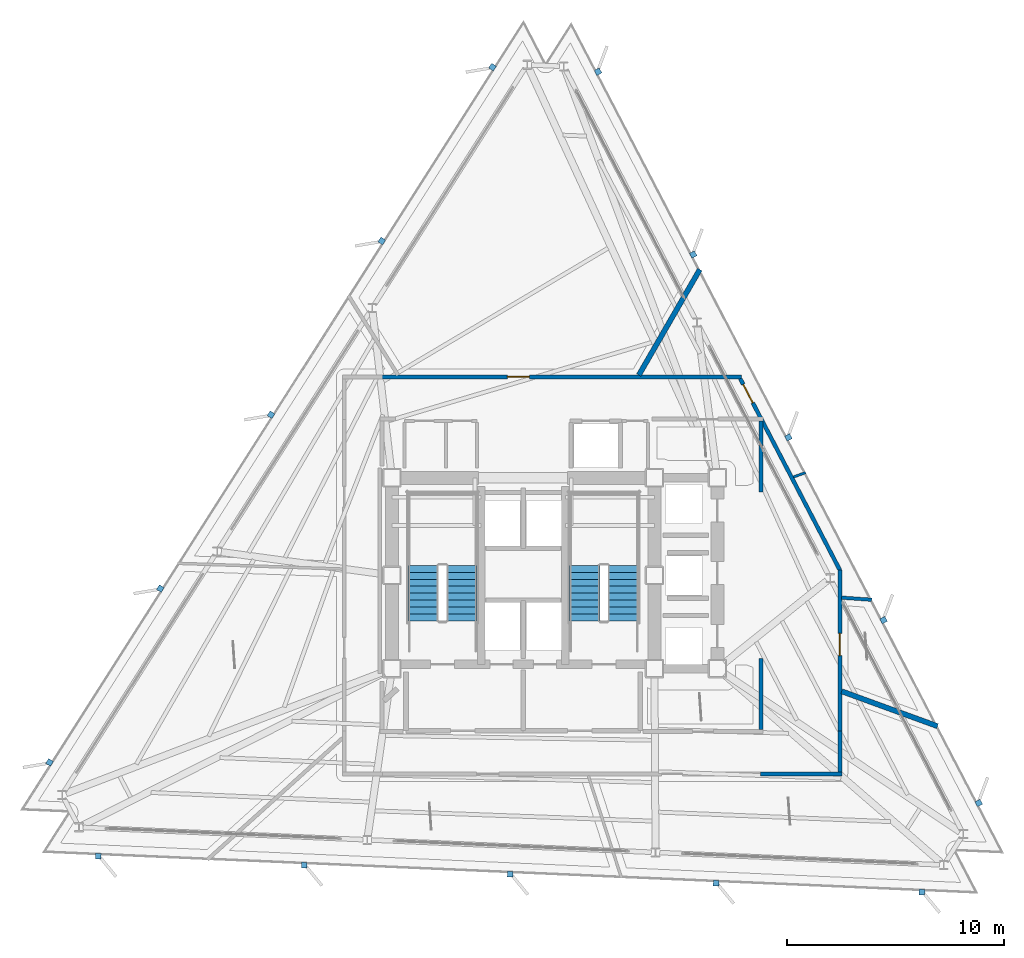
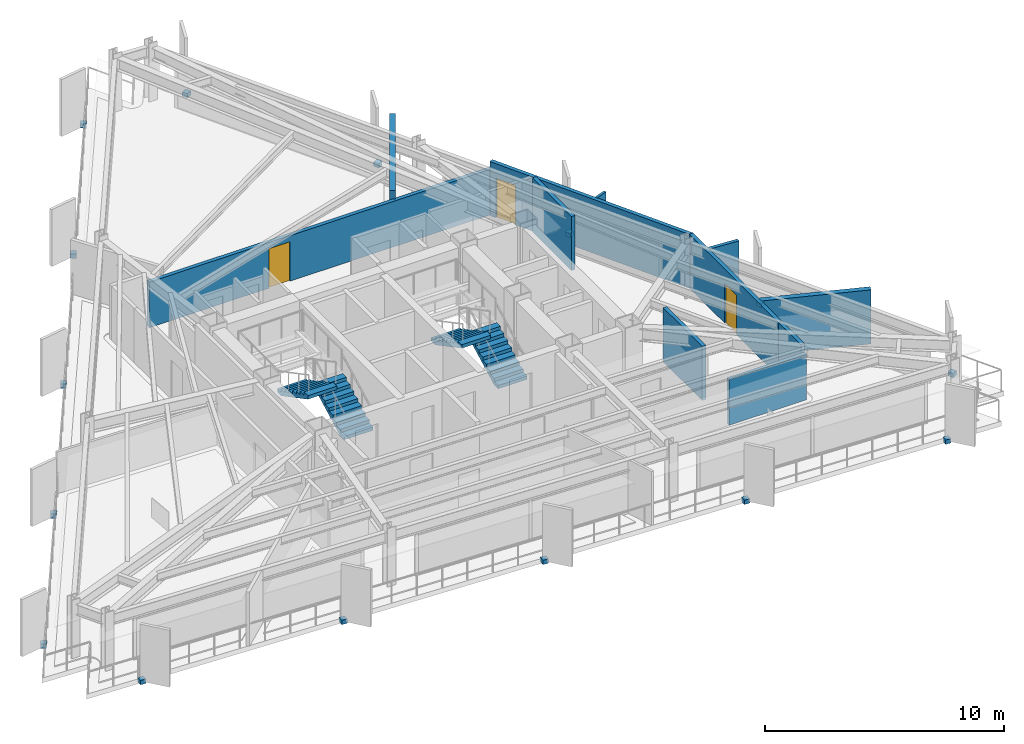
# One storey, part 9 of 12: 15 discrete accessories, 11 walls, 4 stair flights, 3 doors, 3 openings, 2 elements without a shape of their own.
"""IFC4 building model written with IfcOpenShell, lengths in metres."""

from ifc_helpers import new_model, si_unit, direction, frame, frame_2d, origin, origin_2d, place, context, subcontext, project, spatial, polyline, rectangle, outline, extrude, material, layer, layer_set, type_object, element, fill, aggregate, save


model = new_model("IFC4")

# Units and contexts
model_context = context("Model", 3, precision=1e-05, world=origin(), true_north=direction((0.0, 1.0)))
body_context = subcontext(model_context, "Body", "Model", "MODEL_VIEW")
ifc_project = project(units=[si_unit("LENGTHUNIT", "METRE"), si_unit("AREAUNIT", "SQUARE_METRE"), si_unit("VOLUMEUNIT", "CUBIC_METRE"), si_unit("PLANEANGLEUNIT", "RADIAN"), si_unit("MASSUNIT", "GRAM", prefix="KILO")], contexts=[model_context])

# Site, building, storey
site_placement = place(None, origin())
site = spatial("IfcSite", under=ifc_project, at=site_placement, CompositionType="ELEMENT")
building_placement = place(site_placement, origin())
building = spatial("IfcBuilding", under=site, at=building_placement, Name="Rocaltana Carrier Exchange", CompositionType="ELEMENT")
storey_placement = place(building_placement, frame((0.0, 0.0, 135.0400390625)))
storey = spatial("IfcBuildingStorey", under=building, at=storey_placement, Name="L42", CompositionType="ELEMENT", Elevation=135.0400390625)

# Wall
ifc_material_1 = material(Name="Double Acoustic Gypsum Partition", Category="gypsum")
ifc_layer_1 = layer(ifc_material_1, 0.159912109375)
ifc_layer_set_1 = layer_set([ifc_layer_1], Name="Double Acoustic Gypsum Partition")
wall_type_1 = type_object("IfcWallType", Name="Acoustic Studio Partition 160 EI60", PredefinedType="PARTITIONING", material=ifc_layer_set_1)
wall_1_placement = place(storey_placement, frame((14.679931640625, -1.026611328125, 0.0), z_axis=(0.0, 0.0, 1.0), x_axis=(0.997571691914, -0.06964710684, 0.0)))
element("IfcWall", 1, at=wall_1_placement, inside=storey, type_object=wall_type_1, Name="L42 Suite Divider Wall D5", PredefinedType="PARTITIONING", context=body_context, shape_type="SweptSolid", body=[
    extrude(rectangle(XDim=1.38818359375, YDim=0.159912109375, at=frame_2d((0.694091796875, 0.0))), origin(), (0.0, 0.0, 1.0), 2.762939453125),
])

# Wall, opening, door
ifc_material_2 = material(Name="Gypsum & Steel Stud Partition", Category="steel")
ifc_layer_2 = layer(ifc_material_2, 0.179931640625)
ifc_layer_set_2 = layer_set([ifc_layer_2], Name="Gypsum & Steel Stud Partition")
wall_type_2 = type_object("IfcWallType", Name="Corridor Fire Partition 180 EI60", PredefinedType="PARTITIONING", material=ifc_layer_set_2)
wall_2_placement = place(storey_placement, frame((-6.52001953125, 9.14990234375, 0.0), z_axis=(0.0, 0.0, 1.0), x_axis=(1.0, 0.0, 0.0)))
wall_2 = element("IfcWall", 2, at=wall_2_placement, inside=storey, type_object=wall_type_2, Name="L42 Corridor Partition 6", PredefinedType="PARTITIONING", context=body_context, shape_type="SweptSolid", body=[
    extrude(rectangle(XDim=16.571533203125, YDim=0.179931640625, at=frame_2d((8.28564453125, 0.0))), origin(), (0.0, 0.0, 1.0), 2.330078125),
])
opening_1_placement = place(wall_2_placement, frame((5.789306640625, 0.0, 0.0)))
opening_1 = element("IfcOpeningElement", 3, at=opening_1_placement, cuts=wall_2, Name="Opening D-LB104", PredefinedType="OPENING", context=body_context, shape_type="SweptSolid", body=[
    extrude(rectangle(XDim=1.02001953125, YDim=2.02001953125, at=frame_2d((0.510009765625, 1.010009765625))), frame((0.0, 0.099853515625, 0.0), z_axis=(0.0, -1.0, 0.0), x_axis=(1.0, 0.0, 0.0)), (0.0, 0.0, 1.0), 0.199951171875),
])
ifc_material_3 = material(Name="Powder-Coated Aluminium 6063-T6", Category="aluminium")
door_type_1 = type_object("IfcDoorType", Name="Laboratory Acoustic Door 1020x2020", OperationType="NOTDEFINED", PredefinedType="DOOR", material=ifc_material_3)
door_1_placement = place(opening_1_placement, origin())
door_1 = element("IfcDoor", 4, at=door_1_placement, inside=storey, type_object=door_type_1, Name="L42 Photonic Integration Workshop Entrance Door", OperationType="SINGLE_SWING_LEFT", OverallHeight=2.02001953125, OverallWidth=1.02001953125, PredefinedType="DOOR", context=body_context, shape_type="SweptSolid", body=[
    extrude(rectangle(XDim=1.02001953125, YDim=2.02001953125, at=frame_2d((0.510009765625, 1.010009765625))), frame((0.0, 0.02490234375, 0.0), z_axis=(0.0, -1.0, 0.0), x_axis=(1.0, 0.0, 0.0)), (0.0, 0.0, 1.0), 0.050048828125),
])
fill(opening_1, door_1)

wall_3_placement = place(storey_placement, frame((10.0029296875, 9.0703125, 0.0), z_axis=(0.0, 0.0, 1.0), x_axis=(0.461740291408, -0.887015165198, 0.0)))
wall_3 = element("IfcWall", 5, at=wall_3_placement, inside=storey, type_object=wall_type_2, Name="L42 Corridor Partition 7", PredefinedType="PARTITIONING", context=body_context, shape_type="SweptSolid", body=[
    extrude(rectangle(XDim=9.975830078125, YDim=0.179931640625, at=frame_2d((4.98779296875, 0.0))), origin(), (0.0, 0.0, 1.0), 2.762939453125),
])
opening_2_placement = place(wall_3_placement, frame((0.300537109375, 0.0, 0.0)))
opening_2 = element("IfcOpeningElement", 6, at=opening_2_placement, cuts=wall_3, Name="Opening D-RM098", PredefinedType="OPENING", context=body_context, shape_type="SweptSolid", body=[
    extrude(rectangle(XDim=0.9599609375, YDim=2.02001953125, at=frame_2d((0.47998046875, 1.010009765625))), frame((0.0, 0.099853515625, 0.0), z_axis=(0.0, -1.0, 0.0), x_axis=(1.0, 0.0, 0.0)), (0.0, 0.0, 1.0), 0.199951171875),
])
ifc_material_4 = material(Name="Engineered Hardwood Timber", Category="wood")
door_type_2 = type_object("IfcDoorType", Name="Workspace Single Door 960x2020", OperationType="NOTDEFINED", PredefinedType="DOOR", material=ifc_material_4)
door_2_placement = place(opening_2_placement, origin())
door_2 = element("IfcDoor", 7, at=door_2_placement, inside=storey, type_object=door_type_2, Name="L42 Quiet Focus Lounge Entrance Door", OperationType="SINGLE_SWING_RIGHT", OverallHeight=2.02001953125, OverallWidth=0.9599609375, PredefinedType="DOOR", context=body_context, shape_type="SweptSolid", body=[
    extrude(rectangle(XDim=0.9599609375, YDim=2.02001953125, at=frame_2d((0.47998046875, 1.010009765625))), frame((0.0, 0.02490234375, 0.0), z_axis=(0.0, -1.0, 0.0), x_axis=(1.0, 0.0, 0.0)), (0.0, 0.0, 1.0), 0.050048828125),
])
fill(opening_2, door_2)

wall_4_placement = place(storey_placement, frame((14.60009765625, 0.259521484375, 0.0), z_axis=(0.0, 0.0, 1.0), x_axis=(0.0, -1.0, 0.0)))
wall_4 = element("IfcWall", 8, at=wall_4_placement, inside=storey, type_object=wall_type_2, Name="L42 Corridor Partition 8", PredefinedType="PARTITIONING", context=body_context, shape_type="SweptSolid", body=[
    extrude(rectangle(XDim=7.4794921875, YDim=0.179931640625, at=frame_2d((3.73974609375, 0.0))), origin(), (0.0, 0.0, 1.0), 2.762939453125),
])
opening_3_placement = place(wall_4_placement, frame((2.93310546875, 0.0, 0.0)))
opening_3 = element("IfcOpeningElement", 9, at=opening_3_placement, cuts=wall_4, Name="Opening D-LB104", PredefinedType="OPENING", context=body_context, shape_type="SweptSolid", body=[
    extrude(rectangle(XDim=1.02001953125, YDim=2.02001953125, at=frame_2d((0.510009765625, 1.010009765625))), frame((0.0, 0.099853515625, 0.0), z_axis=(0.0, -1.0, 0.0), x_axis=(1.0, 0.0, 0.0)), (0.0, 0.0, 1.0), 0.199951171875),
])
door_3_placement = place(opening_3_placement, origin())
door_3 = element("IfcDoor", 10, at=door_3_placement, inside=storey, type_object=door_type_1, Name="L42 Protocol Calibration Laboratory Entrance Door", OperationType="SINGLE_SWING_RIGHT", OverallHeight=2.02001953125, OverallWidth=1.02001953125, PredefinedType="DOOR", context=body_context, shape_type="SweptSolid", body=[
    extrude(rectangle(XDim=1.02001953125, YDim=2.02001953125, at=frame_2d((0.510009765625, 1.010009765625))), frame((0.0, 0.02490234375, 0.0), z_axis=(0.0, -1.0, 0.0), x_axis=(1.0, 0.0, 0.0)), (0.0, 0.0, 1.0), 0.050048828125),
])
fill(opening_3, door_3)

# Walls
wall_5_placement = place(storey_placement, frame((14.60009765625, -7.179931640625, 0.0), z_axis=(0.0, 0.0, 1.0), x_axis=(0.0, -1.0, 0.0)))
element("IfcWall", 11, at=wall_5_placement, inside=storey, type_object=wall_type_2, Name="L42 Corridor Partition 9", PredefinedType="PARTITIONING", context=body_context, shape_type="SweptSolid", body=[
    extrude(rectangle(XDim=1.880126953125, YDim=0.179931640625, at=frame_2d((0.93994140625, 0.0))), origin(), (0.0, 0.0, 1.0), 2.762939453125),
])
wall_6_placement = place(storey_placement, frame((14.68994140625, -9.14990234375, 0.0), z_axis=(0.0, 0.0, 1.0), x_axis=(-1.0, 0.0, 0.0)))
element("IfcWall", 12, at=wall_6_placement, inside=storey, type_object=wall_type_2, Name="L42 Corridor Partition 10", PredefinedType="PARTITIONING", context=body_context, shape_type="SweptSolid", body=[
    extrude(rectangle(XDim=3.75, YDim=0.179931640625, at=frame_2d((1.875, 0.0))), origin(), (0.0, 0.0, 1.0), 2.330078125),
])
for number, where, z_axis, x_axis, name in (
    (13, (10.9599609375, -7.110107421875, 0.0), (0.0, 0.0, 1.0), (0.0, 1.0, 0.0), "L42 Corridor Partition 13"),
    (14, (10.9599609375, 3.839599609375, 0.0), (0.0, 0.0, 1.0), (0.0, 1.0, 0.0), "L42 Corridor Partition 14"),
):
    element("IfcWall", number, at=place(storey_placement, frame(where, z_axis=z_axis, x_axis=x_axis)), inside=storey, type_object=wall_type_2, Name=name, PredefinedType="PARTITIONING", context=body_context, shape_type="SweptSolid", body=[
        extrude(rectangle(XDim=3.2705078125, YDim=0.179931640625, at=frame_2d((1.63525390625, 0.0))), origin(), (0.0, 0.0, 1.0), 2.762939453125),
    ])
ifc_material_5 = material(Name="Aluminium 6063-T6 & Acoustic Glass", Category="aluminium")
ifc_layer_3 = layer(ifc_material_5, 0.114990234375)
ifc_layer_set_3 = layer_set([ifc_layer_3], Name="Aluminium 6063-T6 & Acoustic Glass")
wall_type_3 = type_object("IfcWallType", Name="Demountable Glazed Lab Partition 115", PredefinedType="MOVABLE", material=ifc_layer_set_3)
wall_7_placement = place(storey_placement, frame((12.455078125, 4.533203125, 0.0), z_axis=(0.0, 0.0, 1.0), x_axis=(0.93962558955, 0.342204254011, 0.0)))
element("IfcWall", 15, at=wall_7_placement, inside=storey, type_object=wall_type_3, Name="L42 Suite Divider Wall D6", PredefinedType="MOVABLE", context=body_context, shape_type="SweptSolid", body=[
    extrude(rectangle(XDim=0.594970703125, YDim=0.114990234375, at=frame_2d((0.29736328125, 0.0))), origin(), (0.0, 0.0, 1.0), 2.762939453125),
])
ifc_material_6 = material(Name="Acoustic Calcium Silicate Partition", Category="gypsum")
ifc_layer_4 = layer(ifc_material_6, 0.239990234375)
ifc_layer_set_4 = layer_set([ifc_layer_4], Name="Acoustic Calcium Silicate Partition")
wall_type_4 = type_object("IfcWallType", Name="Heavy Lab Partition 240 EI90", PredefinedType="PARTITIONING", material=ifc_layer_set_4)
wall_8_placement = place(storey_placement, frame((14.679931640625, -5.343017578125, 0.0), z_axis=(0.0, 0.0, 1.0), x_axis=(0.939684231706, -0.342043191253, 0.0)))
element("IfcWall", 16, at=wall_8_placement, inside=storey, type_object=wall_type_4, Name="L42 Suite Divider Wall D4", PredefinedType="PARTITIONING", context=body_context, shape_type="SweptSolid", body=[
    extrude(rectangle(XDim=4.702392578125, YDim=0.239990234375, at=frame_2d((2.35107421875, 0.0))), origin(), (0.0, 0.0, 1.0), 2.762939453125),
])
wall_9_placement = place(storey_placement, frame((5.328857421875, 9.22998046875, 0.0), z_axis=(0.0, 0.0, 1.0), x_axis=(0.500024387096, 0.86601132343, 0.0)))
element("IfcWall", 17, at=wall_9_placement, inside=storey, type_object=wall_type_4, Name="L42 Suite Divider Wall D7", PredefinedType="PARTITIONING", context=body_context, shape_type="SweptSolid", body=[
    extrude(rectangle(XDim=5.622802734375, YDim=0.239990234375, at=frame_2d((2.8115234375, 0.0))), origin(), (0.0, 0.0, 1.0), 2.762939453125),
])

# Stair, stair flights
ifc_material_7 = material(Name="Precast concrete C45/55", Category="concrete")
stair_type = type_object("IfcStairType", Name="Standard Dog-Leg Stair 160", PredefinedType="HALF_TURN_STAIR", material=ifc_material_7)
stair_1_placement = place(storey_placement, origin())
stair_1 = element("IfcStair", 18, at=stair_1_placement, inside=storey, type_object=stair_type, Name="L42 Core West Exit Stair ST-1", PredefinedType="HALF_TURN_STAIR")
ifc_material_8 = material(Name="Precast concrete C45/55", Category="concrete")
stair_flight_type = type_object("IfcStairFlightType", Name="Precast Stair Flight 160", PredefinedType="STRAIGHT", material=ifc_material_8)
stair_flight_1_placement = place(storey_placement, frame((-2.840087890625, -2.10009765625, 0.0), z_axis=(0.0, 0.0, 1.0), x_axis=(0.0, 1.0, 0.0)))
stair_flight_1 = element("IfcStairFlight", 19, at=stair_flight_1_placement, type_object=stair_flight_type, Name="ST-1 flight 1", NumberOfRisers=9, NumberOfTreads=8, PredefinedType="STRAIGHT", RiserHeight=0.168888889, TreadLength=0.32, context=body_context, shape_type="SweptSolid", body=[
    extrude(outline(polyline([(0.0, 0.0), (0.0, 0.1689453125), (0.320068359375, 0.1689453125), (0.320068359375, 0.337890625), (0.639892578125, 0.337890625), (0.639892578125, 0.506591796875), (0.9599609375, 0.506591796875), (0.9599609375, 0.675537109375), (1.280029296875, 0.675537109375), (1.280029296875, 0.844482421875), (1.60009765625, 0.844482421875), (1.60009765625, 1.013427734375), (1.919921875, 1.013427734375), (1.919921875, 1.18212890625), (2.239990234375, 1.18212890625), (2.239990234375, 1.35107421875), (2.56005859375, 1.35107421875), (2.56005859375, 1.52001953125), (2.56005859375, 1.17041015625), (0.342529296875, 0.0), (0.0, 0.0)])), frame((0.0, 0.699951171875, 0.0), z_axis=(0.0, -1.0, 0.0), x_axis=(1.0, 0.0, 0.0)), (0.0, 0.0, 1.0), 1.39990234375),
])
stair_flight_2_placement = place(storey_placement, frame((-4.60009765625, 0.4599609375, 1.52001953125), z_axis=(0.0, 0.0, 1.0), x_axis=(0.0, -1.0, 0.0)))
stair_flight_2 = element("IfcStairFlight", 20, at=stair_flight_2_placement, type_object=stair_flight_type, Name="ST-1 flight 2", NumberOfRisers=9, NumberOfTreads=8, PredefinedType="STRAIGHT", RiserHeight=0.168888889, TreadLength=0.32, context=body_context, shape_type="SweptSolid", body=[
    extrude(outline(polyline([(0.0, 0.0), (0.0, 0.1689453125), (0.320068359375, 0.1689453125), (0.320068359375, 0.337890625), (0.639892578125, 0.337890625), (0.639892578125, 0.506591796875), (0.9599609375, 0.506591796875), (0.9599609375, 0.675537109375), (1.280029296875, 0.675537109375), (1.280029296875, 0.844482421875), (1.60009765625, 0.844482421875), (1.60009765625, 1.013427734375), (1.919921875, 1.013427734375), (1.919921875, 1.18212890625), (2.239990234375, 1.18212890625), (2.239990234375, 1.35107421875), (2.56005859375, 1.35107421875), (2.56005859375, 1.52001953125), (2.56005859375, 1.17041015625), (0.342529296875, 0.0), (0.0, 0.0)])), frame((0.0, 0.699951171875, 0.0), z_axis=(0.0, -1.0, 0.0), x_axis=(1.0, 0.0, 0.0)), (0.0, 0.0, 1.0), 1.39990234375),
])
aggregate(stair_1, [stair_flight_1, stair_flight_2])

stair_2_placement = place(storey_placement, origin())
stair_2 = element("IfcStair", 21, at=stair_2_placement, inside=storey, type_object=stair_type, Name="L42 Core East Exit Stair ST-2", PredefinedType="HALF_TURN_STAIR")
stair_flight_3_placement = place(storey_placement, frame((4.60009765625, -2.10009765625, 0.0), z_axis=(0.0, 0.0, 1.0), x_axis=(0.0, 1.0, 0.0)))
stair_flight_3 = element("IfcStairFlight", 22, at=stair_flight_3_placement, type_object=stair_flight_type, Name="ST-2 flight 1", NumberOfRisers=9, NumberOfTreads=8, PredefinedType="STRAIGHT", RiserHeight=0.168888889, TreadLength=0.32, context=body_context, shape_type="SweptSolid", body=[
    extrude(outline(polyline([(0.0, 0.0), (0.0, 0.1689453125), (0.320068359375, 0.1689453125), (0.320068359375, 0.337890625), (0.639892578125, 0.337890625), (0.639892578125, 0.506591796875), (0.9599609375, 0.506591796875), (0.9599609375, 0.675537109375), (1.280029296875, 0.675537109375), (1.280029296875, 0.844482421875), (1.60009765625, 0.844482421875), (1.60009765625, 1.013427734375), (1.919921875, 1.013427734375), (1.919921875, 1.18212890625), (2.239990234375, 1.18212890625), (2.239990234375, 1.35107421875), (2.56005859375, 1.35107421875), (2.56005859375, 1.52001953125), (2.56005859375, 1.17041015625), (0.342529296875, 0.0), (0.0, 0.0)])), frame((0.0, 0.699951171875, 0.0), z_axis=(0.0, -1.0, 0.0), x_axis=(1.0, 0.0, 0.0)), (0.0, 0.0, 1.0), 1.39990234375),
])
stair_flight_4_placement = place(storey_placement, frame((2.840087890625, 0.4599609375, 1.52001953125), z_axis=(0.0, 0.0, 1.0), x_axis=(0.0, -1.0, 0.0)))
stair_flight_4 = element("IfcStairFlight", 23, at=stair_flight_4_placement, type_object=stair_flight_type, Name="ST-2 flight 2", NumberOfRisers=9, NumberOfTreads=8, PredefinedType="STRAIGHT", RiserHeight=0.168888889, TreadLength=0.32, context=body_context, shape_type="SweptSolid", body=[
    extrude(outline(polyline([(0.0, 0.0), (0.0, 0.1689453125), (0.320068359375, 0.1689453125), (0.320068359375, 0.337890625), (0.639892578125, 0.337890625), (0.639892578125, 0.506591796875), (0.9599609375, 0.506591796875), (0.9599609375, 0.675537109375), (1.280029296875, 0.675537109375), (1.280029296875, 0.844482421875), (1.60009765625, 0.844482421875), (1.60009765625, 1.013427734375), (1.919921875, 1.013427734375), (1.919921875, 1.18212890625), (2.239990234375, 1.18212890625), (2.239990234375, 1.35107421875), (2.56005859375, 1.35107421875), (2.56005859375, 1.52001953125), (2.56005859375, 1.17041015625), (0.342529296875, 0.0), (0.0, 0.0)])), frame((0.0, 0.699951171875, 0.0), z_axis=(0.0, -1.0, 0.0), x_axis=(1.0, 0.0, 0.0)), (0.0, 0.0, 1.0), 1.39990234375),
])
aggregate(stair_2, [stair_flight_3, stair_flight_4])

# Discrete accessories
ifc_material_9 = material(Name="Brushed Architectural Stainless Metal", Category="steel")
ifc_layer_5 = layer(ifc_material_9, 0.219970703125)
ifc_layer_set_5 = layer_set([ifc_layer_5], Name="Brushed Architectural Stainless Metal")
discrete_accessory_type = type_object("IfcDiscreteAccessoryType", Name="Stainless Fin Slab-Edge Bracket 260x260x220", PredefinedType="BRACKET", material=ifc_layer_set_5)
for number, where, z_axis, x_axis, name in (
    (24, (20.9970703125, -10.489990234375, -0.2099609375), (0.0, 0.0, 1.0), (-0.461748613235, 0.887010833178, 0.0), "L42 Sandstone Fin Edge Bracket F1-01"),
    (25, (16.610595703125, -2.063232421875, -0.2099609375), (0.0, 0.0, 1.0), (-0.461748613235, 0.887010833178, 0.0), "L42 Sandstone Fin Edge Bracket F1-02"),
    (26, (12.223876953125, 6.36328125, -0.2099609375), (0.0, 0.0, 1.0), (-0.461748613235, 0.887010833178, 0.0), "L42 Sandstone Fin Edge Bracket F1-03"),
    (27, (7.837158203125, 14.789794921875, -0.2099609375), (0.0, 0.0, 1.0), (-0.461748613235, 0.887010833178, 0.0), "L42 Sandstone Fin Edge Bracket F1-04"),
    (28, (3.45068359375, 23.216552734375, -0.2099609375), (0.0, 0.0, 1.0), (-0.461748613235, 0.887010833178, 0.0), "L42 Sandstone Fin Edge Bracket F1-05"),
    (29, (-1.4140625, 23.428955078125, -0.2099609375), (0.0, 0.0, 1.0), (-0.537299608347, -0.843391445813, 0.0), "L42 Sandstone Fin Edge Bracket F2-01"),
    (30, (-6.518310546875, 15.416748046875, -0.2099609375), (0.0, 0.0, 1.0), (-0.537299608347, -0.843391445813, 0.0), "L42 Sandstone Fin Edge Bracket F2-02"),
    (31, (-11.622802734375, 7.404541015625, -0.2099609375), (0.0, 0.0, 1.0), (-0.537299608347, -0.843391445813, 0.0), "L42 Sandstone Fin Edge Bracket F2-03"),
    (32, (-16.72705078125, -0.607666015625, -0.2099609375), (0.0, 0.0, 1.0), (-0.537299608347, -0.843391445813, 0.0), "L42 Sandstone Fin Edge Bracket F2-04"),
    (33, (-21.831298828125, -8.619873046875, -0.2099609375), (0.0, 0.0, 1.0), (-0.537299608347, -0.843391445813, 0.0), "L42 Sandstone Fin Edge Bracket F2-05"),
    (34, (-19.5830078125, -12.939208984375, -0.2099609375), (0.0, 0.0, 1.0), (0.999048221582, -0.043619387365, 0.0), "L42 Sandstone Fin Edge Bracket F3-01"),
    (35, (-10.092041015625, -13.353515625, -0.2099609375), (0.0, 0.0, 1.0), (0.999048221582, -0.043619387365, 0.0), "L42 Sandstone Fin Edge Bracket F3-02"),
    (36, (-0.60107421875, -13.767822265625, -0.2099609375), (0.0, 0.0, 1.0), (0.999048221582, -0.043619387365, 0.0), "L42 Sandstone Fin Edge Bracket F3-03"),
    (37, (8.889892578125, -14.18212890625, -0.2099609375), (0.0, 0.0, 1.0), (0.999048221582, -0.043619387365, 0.0), "L42 Sandstone Fin Edge Bracket F3-04"),
    (38, (18.380859375, -14.5966796875, -0.2099609375), (0.0, 0.0, 1.0), (0.999048221582, -0.043619387365, 0.0), "L42 Sandstone Fin Edge Bracket F3-05"),
):
    element("IfcDiscreteAccessory", number, at=place(storey_placement, frame(where, z_axis=z_axis, x_axis=x_axis)), inside=storey, type_object=discrete_accessory_type, Name=name, PredefinedType="BRACKET", context=body_context, shape_type="SweptSolid", body=[
        extrude(rectangle(XDim=0.260009765625, YDim=0.260009765625, at=origin_2d()), origin(), (0.0, 0.0, 1.0), 0.219970703125),
    ])

save(model, "model.ifc")
